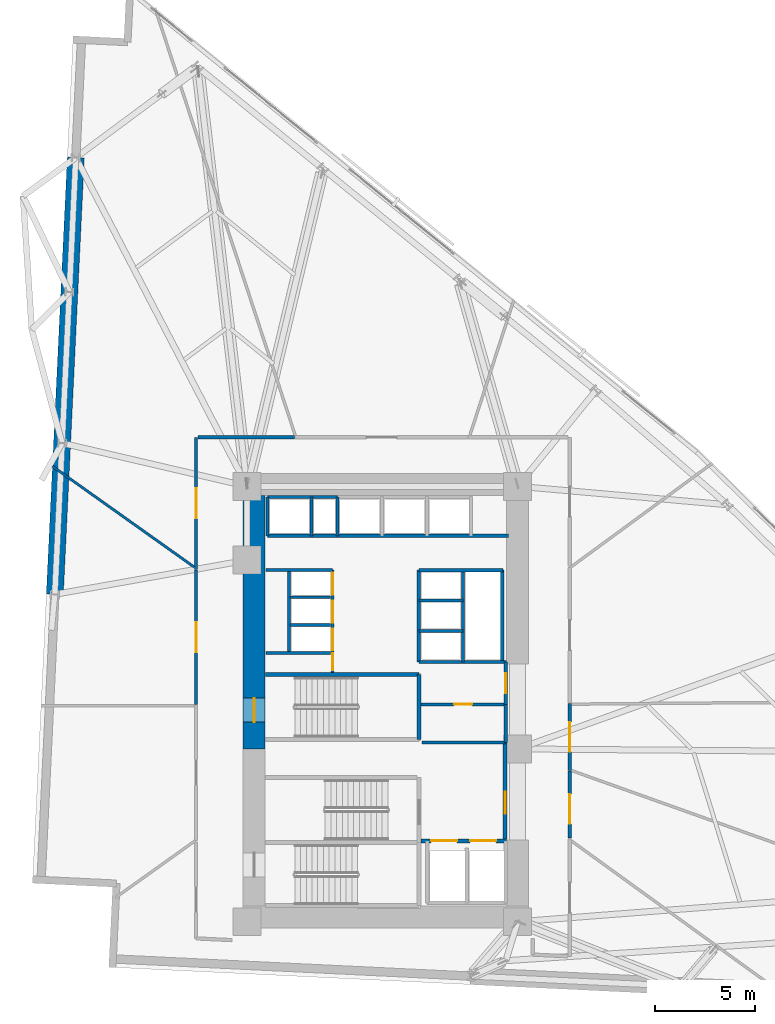
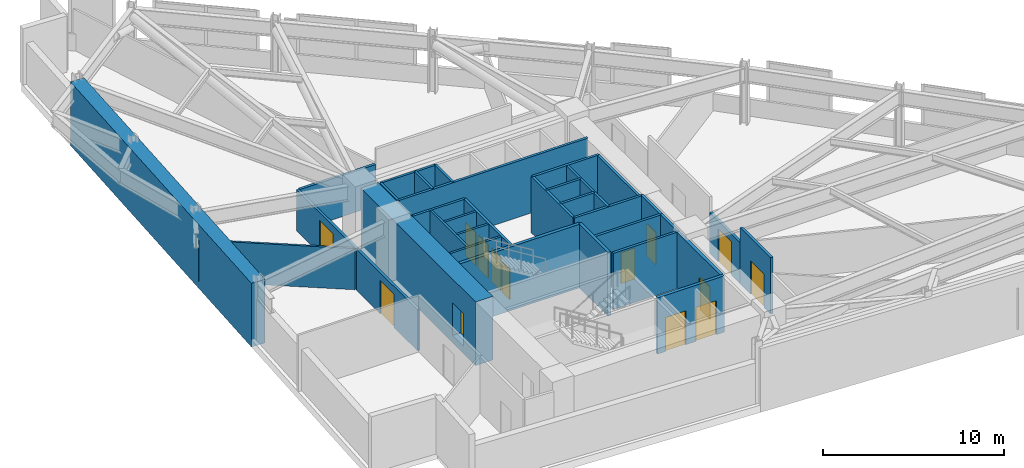
# One storey, part 13 of 18: 34 walls, 14 doors, 14 openings.
"""IFC4 building model written with IfcOpenShell, lengths in metres."""

from ifc_helpers import new_model, si_unit, direction, frame, frame_2d, origin, place, context, subcontext, project, spatial, rectangle, extrude, material, layer, layer_set, type_object, element, fill, save


model = new_model("IFC4")

# Units and contexts
model_context = context("Model", 3, precision=1e-05, world=origin(), true_north=direction((0.0, 1.0)))
body_context = subcontext(model_context, "Body", "Model", "MODEL_VIEW")
ifc_project = project(units=[si_unit("LENGTHUNIT", "METRE"), si_unit("AREAUNIT", "SQUARE_METRE"), si_unit("VOLUMEUNIT", "CUBIC_METRE"), si_unit("PLANEANGLEUNIT", "RADIAN"), si_unit("MASSUNIT", "GRAM", prefix="KILO")], contexts=[model_context])

# Site, building, storey
site_placement = place(None, origin())
site = spatial("IfcSite", under=ifc_project, at=site_placement, CompositionType="ELEMENT")
building_placement = place(site_placement, origin())
building = spatial("IfcBuilding", under=site, at=building_placement, Name="Narakoshi Arena Tower", CompositionType="ELEMENT")
storey_placement = place(building_placement, frame((0.0, 0.0, 59.10009765625)))
storey = spatial("IfcBuildingStorey", under=building, at=storey_placement, Name="L15", CompositionType="ELEMENT", Elevation=59.10009765625)

# Wall, opening, door
ifc_material_1 = material(Name="Concrete C60/75", Category="concrete")
ifc_layer_1 = layer(ifc_material_1, 1.10009765625)
ifc_layer_set_1 = layer_set([ifc_layer_1], Name="Concrete C60/75")
wall_type_1 = type_object("IfcWallType", Name="WL-CORE-1100", PredefinedType="SHEAR", material=ifc_layer_set_1)
wall_1_placement = place(storey_placement, frame((72.35009765625, 43.35009765625, -0.5), z_axis=(0.0, 0.0, 1.0), x_axis=(0.0, 1.0, 0.0)))
wall_1 = element("IfcWall", 1, at=wall_1_placement, inside=storey, type_object=wall_type_1, Name="L15 Main Core Shear Wall CW-MN-W", PredefinedType="SHEAR", context=body_context, shape_type="SweptSolid", body=[
    extrude(rectangle(XDim=12.699951171875, YDim=1.10009765625, at=frame_2d((6.35009765625, 0.0))), origin(), (0.0, 0.0, 1.0), 4.2998046875),
])
opening_1_placement = place(wall_1_placement, frame((1.35009765625, 0.0, 0.5)))
opening_1 = element("IfcOpeningElement", 2, at=opening_1_placement, cuts=wall_1, Name="Opening D-03", PredefinedType="OPENING", context=body_context, shape_type="SweptSolid", body=[
    extrude(rectangle(XDim=1.199951171875, YDim=2.199951171875, at=frame_2d((0.60009765625, 1.10009765625))), frame((0.0, 0.56005859375, 0.0), z_axis=(0.0, -1.0, 0.0), x_axis=(1.0, 0.0, 0.0)), (0.0, 0.0, 1.0), 1.1201171875),
])
ifc_material_2 = material(Name="Painted galvanized steel", Category="steel")
door_type_1 = type_object("IfcDoorType", Name="DR-STR-1200", OperationType="NOTDEFINED", PredefinedType="USERDEFINED", material=ifc_material_2)
door_1_placement = place(opening_1_placement, frame((1.199951171875, 0.0, 0.0), z_axis=(0.0, 0.0, 1.0), x_axis=(-1.0, 0.0, 0.0)))
door_1 = element("IfcDoor", 3, at=door_1_placement, inside=storey, type_object=door_type_1, Name="DR-L15-006", ObjectType="EXITDOOR", OperationType="SINGLE_SWING_LEFT", OverallHeight=2.199951171875, OverallWidth=1.199951171875, PredefinedType="USERDEFINED", context=body_context, shape_type="SweptSolid", body=[
    extrude(rectangle(XDim=1.199951171875, YDim=2.199951171875, at=frame_2d((0.60009765625, 1.10009765625))), frame((0.0, 0.02490234375, 0.0), z_axis=(0.0, -1.0, 0.0), x_axis=(1.0, 0.0, 0.0)), (0.0, 0.0, 1.0), 0.050048828125),
])
fill(opening_1, door_1)

ifc_material_3 = material(Name="Gypsum plasterboard fire-rated partition")
ifc_layer_2 = layer(ifc_material_3, 0.1650390625)
ifc_layer_set_2 = layer_set([ifc_layer_2], Name="Gypsum plasterboard fire-rated partition")
wall_type_2 = type_object("IfcWallType", Name="WL-CORR-165", PredefinedType="PARTITIONING", material=ifc_layer_set_2)
wall_2_placement = place(storey_placement, frame((84.949951171875, 45.580078125, 0.0), z_axis=(0.0, 0.0, 1.0), x_axis=(0.0, 1.0, 0.0)))
wall_2 = element("IfcWall", 4, at=wall_2_placement, inside=storey, type_object=wall_type_2, Name="L15 Core Wall CPAS-E", PredefinedType="PARTITIONING", context=body_context, shape_type="SweptSolid", body=[
    extrude(rectangle(XDim=2.119873046875, YDim=0.1650390625, at=frame_2d((1.06005859375, 0.0))), origin(), (0.0, 0.0, 1.0), 3.7998046875),
])
opening_2_placement = place(wall_2_placement, frame((0.56005859375, 0.0, 0.0)))
opening_2 = element("IfcOpeningElement", 5, at=opening_2_placement, cuts=wall_2, Name="Opening D-06", PredefinedType="OPENING", context=body_context, shape_type="SweptSolid", body=[
    extrude(rectangle(XDim=1.0, YDim=2.199951171875, at=frame_2d((0.5, 1.10009765625))), frame((0.0, 0.092529296875, 0.0), z_axis=(0.0, -1.0, 0.0), x_axis=(1.0, 0.0, 0.0)), (0.0, 0.0, 1.0), 0.18505859375),
])
ifc_material_4 = material(Name="Stained oak solid-core timber", Category="wood")
door_type_2 = type_object("IfcDoorType", Name="DR-OFF-1000", OperationType="NOTDEFINED", PredefinedType="DOOR", material=ifc_material_4)
door_2_placement = place(opening_2_placement, frame((1.0, 0.0, 0.0), z_axis=(0.0, 0.0, 1.0), x_axis=(-1.0, 0.0, 0.0)))
door_2 = element("IfcDoor", 6, at=door_2_placement, inside=storey, type_object=door_type_2, Name="DR-L15-007", OperationType="SINGLE_SWING_LEFT", OverallHeight=2.199951171875, OverallWidth=1.0, PredefinedType="DOOR", context=body_context, shape_type="SweptSolid", body=[
    extrude(rectangle(XDim=1.0, YDim=2.199951171875, at=frame_2d((0.5, 1.10009765625))), frame((0.0, 0.02490234375, 0.0), z_axis=(0.0, -1.0, 0.0), x_axis=(1.0, 0.0, 0.0)), (0.0, 0.0, 1.0), 0.050048828125),
])
fill(opening_2, door_2)

wall_3_placement = place(storey_placement, frame((88.14990234375, 42.26904296875, 0.0), z_axis=(0.0, 0.0, 1.0), x_axis=(0.0, 1.0, 0.0)))
wall_3 = element("IfcWall", 7, at=wall_3_placement, inside=storey, type_object=wall_type_2, Name="L15 Corridor Partition 04-1", PredefinedType="PARTITIONING", context=body_context, shape_type="SweptSolid", body=[
    extrude(rectangle(XDim=3.35986328125, YDim=0.1650390625, at=frame_2d((1.679931640625, 0.0))), origin(), (0.0, 0.0, 1.0), 2.77685546875),
])
opening_3_placement = place(wall_3_placement, frame((0.929931640625, 0.0, 0.0)))
opening_3 = element("IfcOpeningElement", 8, at=opening_3_placement, cuts=wall_3, Name="Opening D-09", PredefinedType="OPENING", context=body_context, shape_type="SweptSolid", body=[
    extrude(rectangle(XDim=1.5, YDim=2.25, at=frame_2d((0.75, 1.125))), frame((0.0, 0.092529296875, 0.0), z_axis=(0.0, -1.0, 0.0), x_axis=(1.0, 0.0, 0.0)), (0.0, 0.0, 1.0), 0.18505859375),
])
door_type_3 = type_object("IfcDoorType", Name="DR-PLT-1500", OperationType="DOUBLE_DOOR_SINGLE_SWING", PredefinedType="DOOR", material=ifc_material_2)
door_3_placement = place(opening_3_placement, frame((1.5, 0.0, 0.0), z_axis=(0.0, 0.0, 1.0), x_axis=(-1.0, 0.0, 0.0)))
door_3 = element("IfcDoor", 9, at=door_3_placement, inside=storey, type_object=door_type_3, Name="DR-L15-016", OperationType="DOUBLE_DOOR_SINGLE_SWING", OverallHeight=2.25, OverallWidth=1.5, PredefinedType="DOOR", context=body_context, shape_type="SweptSolid", body=[
    extrude(rectangle(XDim=1.5, YDim=2.25, at=frame_2d((0.75, 1.125))), frame((0.0, 0.02490234375, 0.0), z_axis=(0.0, -1.0, 0.0), x_axis=(1.0, 0.0, 0.0)), (0.0, 0.0, 1.0), 0.050048828125),
])
fill(opening_3, door_3)

wall_4_placement = place(storey_placement, frame((88.14990234375, 38.8837890625, 0.0), z_axis=(0.0, 0.0, 1.0), x_axis=(0.0, 1.0, 0.0)))
wall_4 = element("IfcWall", 10, at=wall_4_placement, inside=storey, type_object=wall_type_2, Name="L15 Corridor Partition 05-1", PredefinedType="PARTITIONING", context=body_context, shape_type="SweptSolid", body=[
    extrude(rectangle(XDim=3.359619140625, YDim=0.1650390625, at=frame_2d((1.6796875, 0.0))), origin(), (0.0, 0.0, 1.0), 3.7998046875),
])
opening_4_placement = place(wall_4_placement, frame((0.7109375, 0.0, 0.0)))
opening_4 = element("IfcOpeningElement", 11, at=opening_4_placement, cuts=wall_4, Name="Opening D-09", PredefinedType="OPENING", context=body_context, shape_type="SweptSolid", body=[
    extrude(rectangle(XDim=1.5, YDim=2.25, at=frame_2d((0.75, 1.125))), frame((0.0, 0.092529296875, 0.0), z_axis=(0.0, -1.0, 0.0), x_axis=(1.0, 0.0, 0.0)), (0.0, 0.0, 1.0), 0.18505859375),
])
door_4_placement = place(opening_4_placement, frame((1.5, 0.0, 0.0), z_axis=(0.0, 0.0, 1.0), x_axis=(-1.0, 0.0, 0.0)))
door_4 = element("IfcDoor", 12, at=door_4_placement, inside=storey, type_object=door_type_3, Name="DR-L15-017", OperationType="DOUBLE_DOOR_SINGLE_SWING", OverallHeight=2.25, OverallWidth=1.5, PredefinedType="DOOR", context=body_context, shape_type="SweptSolid", body=[
    extrude(rectangle(XDim=1.5, YDim=2.25, at=frame_2d((0.75, 1.125))), frame((0.0, 0.02490234375, 0.0), z_axis=(0.0, -1.0, 0.0), x_axis=(1.0, 0.0, 0.0)), (0.0, 0.0, 1.0), 0.050048828125),
])
fill(opening_4, door_4)

wall_5_placement = place(storey_placement, frame((69.449951171875, 58.949951171875, 0.0), z_axis=(0.0, 0.0, 1.0), x_axis=(0.0, -1.0, 0.0)))
wall_5 = element("IfcWall", 13, at=wall_5_placement, inside=storey, type_object=wall_type_2, Name="L15 Corridor Partition 09-1", PredefinedType="PARTITIONING", context=body_context, shape_type="SweptSolid", body=[
    extrude(rectangle(XDim=6.604248046875, YDim=0.1650390625, at=frame_2d((3.30224609375, 0.0))), origin(), (0.0, 0.0, 1.0), 2.77685546875),
])
opening_5_placement = place(wall_5_placement, frame((2.552001953125, 0.0, 0.0)))
opening_5 = element("IfcOpeningElement", 14, at=opening_5_placement, cuts=wall_5, Name="Opening D-09", PredefinedType="OPENING", context=body_context, shape_type="SweptSolid", body=[
    extrude(rectangle(XDim=1.5, YDim=2.25, at=frame_2d((0.75, 1.125))), frame((0.0, 0.092529296875, 0.0), z_axis=(0.0, -1.0, 0.0), x_axis=(1.0, 0.0, 0.0)), (0.0, 0.0, 1.0), 0.18505859375),
])
door_5_placement = place(opening_5_placement, frame((1.5, 0.0, 0.0), z_axis=(0.0, 0.0, 1.0), x_axis=(-1.0, 0.0, 0.0)))
door_5 = element("IfcDoor", 15, at=door_5_placement, inside=storey, type_object=door_type_3, Name="DR-L15-021", OperationType="DOUBLE_DOOR_SINGLE_SWING", OverallHeight=2.25, OverallWidth=1.5, PredefinedType="DOOR", context=body_context, shape_type="SweptSolid", body=[
    extrude(rectangle(XDim=1.5, YDim=2.25, at=frame_2d((0.75, 1.125))), frame((0.0, 0.02490234375, 0.0), z_axis=(0.0, -1.0, 0.0), x_axis=(1.0, 0.0, 0.0)), (0.0, 0.0, 1.0), 0.050048828125),
])
fill(opening_5, door_5)

# Wall
wall_6_placement = place(storey_placement, frame((74.38525390625, 58.949951171875, 0.0), z_axis=(0.0, 0.0, 1.0), x_axis=(-1.0, 0.0, 0.0)))
element("IfcWall", 16, at=wall_6_placement, inside=storey, type_object=wall_type_2, Name="L15 Corridor Partition 09-2", PredefinedType="PARTITIONING", context=body_context, shape_type="SweptSolid", body=[
    extrude(rectangle(XDim=4.8408203125, YDim=0.1650390625, at=frame_2d((2.42041015625, 0.0))), origin(), (0.0, 0.0, 1.0), 2.77685546875),
])

# Wall, opening, door
wall_7_placement = place(storey_placement, frame((69.449951171875, 52.31640625, 0.0), z_axis=(0.0, 0.0, 1.0), x_axis=(0.0, -1.0, 0.0)))
wall_7 = element("IfcWall", 17, at=wall_7_placement, inside=storey, type_object=wall_type_2, Name="L15 Corridor Partition 10-1", PredefinedType="PARTITIONING", context=body_context, shape_type="SweptSolid", body=[
    extrude(rectangle(XDim=6.7451171875, YDim=0.1650390625, at=frame_2d((3.37255859375, 0.0))), origin(), (0.0, 0.0, 1.0), 2.77685546875),
])
opening_6_placement = place(wall_7_placement, frame((2.62255859375, 0.0, 0.0)))
opening_6 = element("IfcOpeningElement", 18, at=opening_6_placement, cuts=wall_7, Name="Opening D-09", PredefinedType="OPENING", context=body_context, shape_type="SweptSolid", body=[
    extrude(rectangle(XDim=1.5, YDim=2.25, at=frame_2d((0.75, 1.125))), frame((0.0, 0.092529296875, 0.0), z_axis=(0.0, -1.0, 0.0), x_axis=(1.0, 0.0, 0.0)), (0.0, 0.0, 1.0), 0.18505859375),
])
door_6_placement = place(opening_6_placement, frame((1.5, 0.0, 0.0), z_axis=(0.0, 0.0, 1.0), x_axis=(-1.0, 0.0, 0.0)))
door_6 = element("IfcDoor", 19, at=door_6_placement, inside=storey, type_object=door_type_3, Name="DR-L15-022", OperationType="DOUBLE_DOOR_SINGLE_SWING", OverallHeight=2.25, OverallWidth=1.5, PredefinedType="DOOR", context=body_context, shape_type="SweptSolid", body=[
    extrude(rectangle(XDim=1.5, YDim=2.25, at=frame_2d((0.75, 1.125))), frame((0.0, 0.02490234375, 0.0), z_axis=(0.0, -1.0, 0.0), x_axis=(1.0, 0.0, 0.0)), (0.0, 0.0, 1.0), 0.050048828125),
])
fill(opening_6, door_6)

# Walls
ifc_layer_3 = layer(ifc_material_1, 0.85009765625)
ifc_layer_set_3 = layer_set([ifc_layer_3], Name="Concrete C60/75")
wall_type_3 = type_object("IfcWallType", Name="WL-LEG-850", PredefinedType="SHEAR", material=ifc_layer_set_3)
wall_8_placement = place(storey_placement, frame((63.42822265625, 72.95654296875, -0.5), z_axis=(0.0, 0.0, 1.0), x_axis=(-0.047976309476, -0.998848473858, 0.0)))
element("IfcWall", 20, at=wall_8_placement, inside=storey, type_object=wall_type_3, Name="L15 Architectural Concrete Structural Wall LEGB-2", PredefinedType="SHEAR", context=body_context, shape_type="SweptSolid", body=[
    extrude(rectangle(XDim=21.891845703125, YDim=0.85009765625, at=frame_2d((10.94580078125, 0.0))), origin(), (0.0, 0.0, 1.0), 4.2998046875),
])
ifc_layer_4 = layer(ifc_material_3, 0.125)
ifc_layer_set_4 = layer_set([ifc_layer_4], Name="Gypsum plasterboard fire-rated partition")
wall_type_4 = type_object("IfcWallType", Name="WL-PART-125", PredefinedType="PARTITIONING", material=ifc_layer_set_4)
wall_9_placement = place(storey_placement, frame((69.35546875, 52.45751953125, 0.0), z_axis=(0.0, 0.0, 1.0), x_axis=(-0.815095714188, 0.579326312809, 0.0)))
element("IfcWall", 21, at=wall_9_placement, inside=storey, type_object=wall_type_4, Name="L15 Inter-Room Partition 09-10", PredefinedType="PARTITIONING", context=body_context, shape_type="SweptSolid", body=[
    extrude(rectangle(XDim=8.704345703125, YDim=0.125, at=frame_2d((4.35205078125, 0.0))), origin(), (0.0, 0.0, 1.0), 2.77685546875),
])
ifc_material_5 = material(Name="Concrete C40/50", Category="concrete")
ifc_layer_5 = layer(ifc_material_5, 0.280029296875)
ifc_layer_set_5 = layer_set([ifc_layer_5], Name="Concrete C40/50")
wall_type_5 = type_object("IfcWallType", Name="WL-RISER-280", PredefinedType="PLUMBINGWALL", material=ifc_layer_set_5)
wall_10_placement = place(storey_placement, frame((84.949951171875, 43.679931640625, 0.0), z_axis=(0.0, 0.0, 1.0), x_axis=(0.0, 1.0, 0.0)))
element("IfcWall", 22, at=wall_10_placement, inside=storey, type_object=wall_type_5, Name="L15 Core Wall RSR-E", PredefinedType="PLUMBINGWALL", context=body_context, shape_type="SweptSolid", body=[
    extrude(rectangle(XDim=1.900146484375, YDim=0.1650390625, at=frame_2d((0.9501953125, 0.0))), origin(), (0.0, 0.0, 1.0), 3.7998046875),
])

# Wall, opening, door
wall_11_placement = place(storey_placement, frame((80.719970703125, 45.580078125, 0.0), z_axis=(0.0, 0.0, 1.0), x_axis=(1.0, 0.0, 0.0)))
wall_11 = element("IfcWall", 23, at=wall_11_placement, inside=storey, type_object=wall_type_5, Name="L15 Core Wall RSR-N", PredefinedType="PLUMBINGWALL", context=body_context, shape_type="SweptSolid", body=[
    extrude(rectangle(XDim=4.22998046875, YDim=0.159912109375, at=frame_2d((2.114990234375, 0.0))), origin(), (0.0, 0.0, 1.0), 3.7998046875),
])
opening_7_placement = place(wall_11_placement, frame((1.64990234375, 0.0, 0.0)))
opening_7 = element("IfcOpeningElement", 24, at=opening_7_placement, cuts=wall_11, Name="Opening D-08", PredefinedType="OPENING", context=body_context, shape_type="SweptSolid", body=[
    extrude(rectangle(XDim=0.89990234375, YDim=2.10009765625, at=frame_2d((0.449951171875, 1.050048828125))), frame((0.0, 0.08984375, 0.0), z_axis=(0.0, -1.0, 0.0), x_axis=(1.0, 0.0, 0.0)), (0.0, 0.0, 1.0), 0.179931640625),
])
ifc_material_6 = material(Name="Moisture-resistant laminate timber", Category="wood")
door_type_4 = type_object("IfcDoorType", Name="DR-WC-900", OperationType="NOTDEFINED", PredefinedType="DOOR", material=ifc_material_6)
door_7_placement = place(opening_7_placement, frame((0.89990234375, 0.0, 0.0), z_axis=(0.0, 0.0, 1.0), x_axis=(-1.0, 0.0, 0.0)))
door_7 = element("IfcDoor", 25, at=door_7_placement, inside=storey, type_object=door_type_4, Name="DR-L15-008", OperationType="SINGLE_SWING_LEFT", OverallHeight=2.10009765625, OverallWidth=0.89990234375, PredefinedType="DOOR", context=body_context, shape_type="SweptSolid", body=[
    extrude(rectangle(XDim=0.89990234375, YDim=2.10009765625, at=frame_2d((0.449951171875, 1.050048828125))), frame((0.0, 0.02490234375, 0.0), z_axis=(0.0, -1.0, 0.0), x_axis=(1.0, 0.0, 0.0)), (0.0, 0.0, 1.0), 0.050048828125),
])
fill(opening_7, door_7)

# Walls
wall_12_placement = place(storey_placement, frame((80.760009765625, 43.679931640625, 0.0), z_axis=(0.0, 0.0, 1.0), x_axis=(1.0, 0.0, 0.0)))
element("IfcWall", 26, at=wall_12_placement, inside=storey, type_object=wall_type_5, Name="L15 Core Wall RSR-S", PredefinedType="PLUMBINGWALL", context=body_context, shape_type="SweptSolid", body=[
    extrude(rectangle(XDim=4.18994140625, YDim=0.159912109375, at=frame_2d((2.094970703125, 0.0))), origin(), (0.0, 0.0, 1.0), 3.7998046875),
])
wall_13_placement = place(storey_placement, frame((72.949951171875, 48.159912109375, 0.0), z_axis=(0.0, 0.0, 1.0), x_axis=(1.0, 0.0, 0.0)))
element("IfcWall", 27, at=wall_13_placement, inside=storey, type_object=wall_type_5, Name="L15 Core Wall LR-S0", PredefinedType="PLUMBINGWALL", context=body_context, shape_type="SweptSolid", body=[
    extrude(rectangle(XDim=3.239990234375, YDim=0.139892578125, at=frame_2d((1.6201171875, 0.0))), origin(), (0.0, 0.0, 1.0), 3.7998046875),
])
for number, where, z_axis, x_axis, name in (
    (28, (74.14990234375, 49.550048828125, 0.0), (0.0, 0.0, 1.0), (1.0, 0.0, 0.0), "L15 Core Wall LR-D1"),
    (29, (74.14990234375, 50.949951171875, 0.0), (0.0, 0.0, 1.0), (1.0, 0.0, 0.0), "L15 Core Wall LR-D2"),
):
    element("IfcWall", number, at=place(storey_placement, frame(where, z_axis=z_axis, x_axis=x_axis)), inside=storey, type_object=wall_type_5, Name=name, PredefinedType="PLUMBINGWALL", context=body_context, shape_type="SweptSolid", body=[
        extrude(rectangle(XDim=2.0400390625, YDim=0.139892578125, at=frame_2d((1.02001953125, 0.0))), origin(), (0.0, 0.0, 1.0), 3.7998046875),
    ])
wall_14_placement = place(storey_placement, frame((74.10009765625, 48.159912109375, 0.0), z_axis=(0.0, 0.0, 1.0), x_axis=(0.0, 1.0, 0.0)))
element("IfcWall", 30, at=wall_14_placement, inside=storey, type_object=wall_type_5, Name="L15 Core Wall LR-W", PredefinedType="PLUMBINGWALL", context=body_context, shape_type="SweptSolid", body=[
    extrude(rectangle(XDim=4.16015625, YDim=0.139892578125, at=frame_2d((2.080078125, 0.0))), origin(), (0.0, 0.0, 1.0), 3.7998046875),
])
for number, where, z_axis, x_axis, name in (
    (31, (80.60009765625, 49.260009765625, 0.0), (0.0, 0.0, 1.0), (1.0, 0.0, 0.0), "L15 Core Wall MR-D1"),
    (32, (80.60009765625, 50.780029296875, 0.0), (0.0, 0.0, 1.0), (1.0, 0.0, 0.0), "L15 Core Wall MR-D2"),
):
    element("IfcWall", number, at=place(storey_placement, frame(where, z_axis=z_axis, x_axis=x_axis)), inside=storey, type_object=wall_type_5, Name=name, PredefinedType="PLUMBINGWALL", context=body_context, shape_type="SweptSolid", body=[
        extrude(rectangle(XDim=2.199951171875, YDim=0.14990234375, at=frame_2d((1.10009765625, 0.0))), origin(), (0.0, 0.0, 1.0), 3.7998046875),
    ])
wall_15_placement = place(storey_placement, frame((82.800048828125, 47.699951171875, 0.0), z_axis=(0.0, 0.0, 1.0), x_axis=(0.0, 1.0, 0.0)))
element("IfcWall", 33, at=wall_15_placement, inside=storey, type_object=wall_type_5, Name="L15 Core Wall MR-E", PredefinedType="PLUMBINGWALL", context=body_context, shape_type="SweptSolid", body=[
    extrude(rectangle(XDim=4.60009765625, YDim=0.14990234375, at=frame_2d((2.300048828125, 0.0))), origin(), (0.0, 0.0, 1.0), 3.7998046875),
])
for number, where, z_axis, x_axis, name in (
    (34, (73.02001953125, 54.02001953125, 0.0), (0.0, 0.0, 1.0), (0.0, 1.0, 0.0), "L15 Core Wall OBS-W"),
    (35, (75.219970703125, 54.02001953125, 0.0), (0.0, 0.0, 1.0), (0.0, 1.0, 0.0), "L15 Core Wall OBS-M"),
):
    element("IfcWall", number, at=place(storey_placement, frame(where, z_axis=z_axis, x_axis=x_axis)), inside=storey, type_object=wall_type_5, Name=name, PredefinedType="PLUMBINGWALL", context=body_context, shape_type="SweptSolid", body=[
        extrude(rectangle(XDim=1.93994140625, YDim=0.14990234375, at=frame_2d((0.969970703125, 0.0))), origin(), (0.0, 0.0, 1.0), 3.7998046875),
    ])

# Wall, openings, doors
ifc_material_7 = material(Name="Concrete C50/60", Category="concrete")
ifc_layer_6 = layer(ifc_material_7, 0.35009765625)
ifc_layer_set_6 = layer_set([ifc_layer_6], Name="Concrete C50/60")
wall_type_6 = type_object("IfcWallType", Name="WL-SHAFT-350", PredefinedType="SOLIDWALL", material=ifc_layer_set_6)
wall_16_placement = place(storey_placement, frame((80.719970703125, 38.75, 0.0), z_axis=(0.0, 0.0, 1.0), x_axis=(1.0, 0.0, 0.0)))
wall_16 = element("IfcWall", 36, at=wall_16_placement, inside=storey, type_object=wall_type_6, Name="L15 Core Wall FF-N", PredefinedType="SOLIDWALL", context=body_context, shape_type="SweptSolid", body=[
    extrude(rectangle(XDim=4.260009765625, YDim=0.199951171875, at=frame_2d((2.1298828125, 0.0))), origin(), (0.0, 0.0, 1.0), 3.7998046875),
])
opening_8_placement = place(wall_16_placement, frame((0.5, 0.0, 0.0)))
opening_8 = element("IfcOpeningElement", 37, at=opening_8_placement, cuts=wall_16, Name="Opening LD-02", PredefinedType="OPENING", context=body_context, shape_type="SweptSolid", body=[
    extrude(rectangle(XDim=1.300048828125, YDim=2.300048828125, at=frame_2d((0.64990234375, 1.14990234375))), frame((0.0, 0.10986328125, 0.0), z_axis=(0.0, -1.0, 0.0), x_axis=(1.0, 0.0, 0.0)), (0.0, 0.0, 1.0), 0.219970703125),
])
opening_9_placement = place(wall_16_placement, frame((2.449951171875, 0.0, 0.0)))
opening_9 = element("IfcOpeningElement", 38, at=opening_9_placement, cuts=wall_16, Name="Opening LD-02", PredefinedType="OPENING", context=body_context, shape_type="SweptSolid", body=[
    extrude(rectangle(XDim=1.300048828125, YDim=2.300048828125, at=frame_2d((0.64990234375, 1.14990234375))), frame((0.0, 0.10986328125, 0.0), z_axis=(0.0, -1.0, 0.0), x_axis=(1.0, 0.0, 0.0)), (0.0, 0.0, 1.0), 0.219970703125),
])
ifc_material_8 = material(Name="Brushed bronze stainless steel", Category="steel")
door_type_5 = type_object("IfcDoorType", Name="DR-LFT-1300", OperationType="DOUBLE_DOOR_SLIDING", PredefinedType="DOOR", material=ifc_material_8)
door_8_placement = place(opening_8_placement, origin())
door_8 = element("IfcDoor", 39, at=door_8_placement, inside=storey, type_object=door_type_5, Name="DR-L15-003", OperationType="DOUBLE_DOOR_SLIDING", OverallHeight=2.300048828125, OverallWidth=1.300048828125, PredefinedType="DOOR", context=body_context, shape_type="SweptSolid", body=[
    extrude(rectangle(XDim=1.300048828125, YDim=2.300048828125, at=frame_2d((0.64990234375, 1.14990234375))), frame((0.0, 0.02490234375, 0.0), z_axis=(0.0, -1.0, 0.0), x_axis=(1.0, 0.0, 0.0)), (0.0, 0.0, 1.0), 0.050048828125),
])
fill(opening_8, door_8)
door_9_placement = place(opening_9_placement, origin())
door_9 = element("IfcDoor", 40, at=door_9_placement, inside=storey, type_object=door_type_5, Name="DR-L15-004", OperationType="DOUBLE_DOOR_SLIDING", OverallHeight=2.300048828125, OverallWidth=1.300048828125, PredefinedType="DOOR", context=body_context, shape_type="SweptSolid", body=[
    extrude(rectangle(XDim=1.300048828125, YDim=2.300048828125, at=frame_2d((0.64990234375, 1.14990234375))), frame((0.0, 0.02490234375, 0.0), z_axis=(0.0, -1.0, 0.0), x_axis=(1.0, 0.0, 0.0)), (0.0, 0.0, 1.0), 0.050048828125),
])
fill(opening_9, door_9)

# Wall, opening, door
wall_17_placement = place(storey_placement, frame((84.919921875, 38.85009765625, 0.0), z_axis=(0.0, 0.0, 1.0), x_axis=(0.0, 1.0, 0.0)))
wall_17 = element("IfcWall", 41, at=wall_17_placement, inside=storey, type_object=wall_type_6, Name="L15 Core Wall FFLOB-E", PredefinedType="SOLIDWALL", context=body_context, shape_type="SweptSolid", body=[
    extrude(rectangle(XDim=4.829833984375, YDim=0.199951171875, at=frame_2d((2.4150390625, 0.0))), origin(), (0.0, 0.0, 1.0), 3.7998046875),
])
opening_10_placement = place(wall_17_placement, frame((1.25, 0.0, 0.0)))
opening_10 = element("IfcOpeningElement", 42, at=opening_10_placement, cuts=wall_17, Name="Opening D-04", PredefinedType="OPENING", context=body_context, shape_type="SweptSolid", body=[
    extrude(rectangle(XDim=1.10009765625, YDim=2.199951171875, at=frame_2d((0.550048828125, 1.10009765625))), frame((0.0, 0.10986328125, 0.0), z_axis=(0.0, -1.0, 0.0), x_axis=(1.0, 0.0, 0.0)), (0.0, 0.0, 1.0), 0.219970703125),
])
door_type_6 = type_object("IfcDoorType", Name="DR-FFL-1100", OperationType="NOTDEFINED", PredefinedType="DOOR", material=ifc_material_2)
door_10_placement = place(opening_10_placement, frame((1.10009765625, 0.0, 0.0), z_axis=(0.0, 0.0, 1.0), x_axis=(-1.0, 0.0, 0.0)))
door_10 = element("IfcDoor", 43, at=door_10_placement, inside=storey, type_object=door_type_6, Name="DR-L15-005", OperationType="SINGLE_SWING_RIGHT", OverallHeight=2.199951171875, OverallWidth=1.10009765625, PredefinedType="DOOR", context=body_context, shape_type="SweptSolid", body=[
    extrude(rectangle(XDim=1.10009765625, YDim=2.199951171875, at=frame_2d((0.550048828125, 1.10009765625))), frame((0.0, 0.02490234375, 0.0), z_axis=(0.0, -1.0, 0.0), x_axis=(1.0, 0.0, 0.0)), (0.0, 0.0, 1.0), 0.050048828125),
])
fill(opening_10, door_10)

# Walls
wall_18_placement = place(storey_placement, frame((72.919921875, 47.070068359375, -0.5), z_axis=(0.0, 0.0, 1.0), x_axis=(1.0, 0.0, 0.0)))
element("IfcWall", 44, at=wall_18_placement, inside=storey, type_object=wall_type_6, Name="L15 Core Wall ST3-N", PredefinedType="SOLIDWALL", context=body_context, shape_type="SweptSolid", body=[
    extrude(rectangle(XDim=7.7001953125, YDim=0.199951171875, at=frame_2d((3.85009765625, 0.0))), origin(), (0.0, 0.0, 1.0), 4.2998046875),
])
wall_19_placement = place(storey_placement, frame((80.6201171875, 43.830078125, -0.5), z_axis=(0.0, 0.0, 1.0), x_axis=(0.0, 1.0, 0.0)))
element("IfcWall", 45, at=wall_19_placement, inside=storey, type_object=wall_type_6, Name="L15 Core Wall ST3-E", PredefinedType="SOLIDWALL", context=body_context, shape_type="SweptSolid", body=[
    extrude(rectangle(XDim=3.239990234375, YDim=0.199951171875, at=frame_2d((1.6201171875, 0.0))), origin(), (0.0, 0.0, 1.0), 4.2998046875),
])

# Wall, openings, doors
wall_20_placement = place(storey_placement, frame((76.280029296875, 47.179931640625, 0.0), z_axis=(0.0, 0.0, 1.0), x_axis=(0.0, 1.0, 0.0)))
wall_20 = element("IfcWall", 46, at=wall_20_placement, inside=storey, type_object=wall_type_6, Name="L15 Core Wall LR-E", PredefinedType="SOLIDWALL", context=body_context, shape_type="SweptSolid", body=[
    extrude(rectangle(XDim=5.14013671875, YDim=0.159912109375, at=frame_2d((2.570068359375, 0.0))), origin(), (0.0, 0.0, 1.0), 3.7998046875),
])
opening_11_placement = place(wall_20_placement, frame((1.10009765625, 0.0, 0.0)))
opening_11 = element("IfcOpeningElement", 47, at=opening_11_placement, cuts=wall_20, Name="Opening LD-01", PredefinedType="OPENING", context=body_context, shape_type="SweptSolid", body=[
    extrude(rectangle(XDim=1.10009765625, YDim=2.25, at=frame_2d((0.550048828125, 1.125))), frame((0.0, 0.08984375, 0.0), z_axis=(0.0, -1.0, 0.0), x_axis=(1.0, 0.0, 0.0)), (0.0, 0.0, 1.0), 0.179931640625),
])
opening_12_placement = place(wall_20_placement, frame((2.5, 0.0, 0.0)))
opening_12 = element("IfcOpeningElement", 48, at=opening_12_placement, cuts=wall_20, Name="Opening LD-01", PredefinedType="OPENING", context=body_context, shape_type="SweptSolid", body=[
    extrude(rectangle(XDim=1.10009765625, YDim=2.25, at=frame_2d((0.550048828125, 1.125))), frame((0.0, 0.08984375, 0.0), z_axis=(0.0, -1.0, 0.0), x_axis=(1.0, 0.0, 0.0)), (0.0, 0.0, 1.0), 0.179931640625),
])
opening_13_placement = place(wall_20_placement, frame((3.89990234375, 0.0, 0.0)))
opening_13 = element("IfcOpeningElement", 49, at=opening_13_placement, cuts=wall_20, Name="Opening LD-01", PredefinedType="OPENING", context=body_context, shape_type="SweptSolid", body=[
    extrude(rectangle(XDim=1.10009765625, YDim=2.25, at=frame_2d((0.550048828125, 1.125))), frame((0.0, 0.08984375, 0.0), z_axis=(0.0, -1.0, 0.0), x_axis=(1.0, 0.0, 0.0)), (0.0, 0.0, 1.0), 0.179931640625),
])
opening_14_placement = place(wall_20_placement, frame((0.1201171875, 0.0, 0.0)))
opening_14 = element("IfcOpeningElement", 50, at=opening_14_placement, cuts=wall_20, Name="Opening D-10", PredefinedType="OPENING", context=body_context, shape_type="SweptSolid", body=[
    extrude(rectangle(XDim=0.85009765625, YDim=2.050048828125, at=frame_2d((0.425048828125, 1.02490234375))), frame((0.0, 0.08984375, 0.0), z_axis=(0.0, -1.0, 0.0), x_axis=(1.0, 0.0, 0.0)), (0.0, 0.0, 1.0), 0.179931640625),
])
door_type_7 = type_object("IfcDoorType", Name="DR-LFT-1100", OperationType="DOUBLE_DOOR_SLIDING", PredefinedType="DOOR", material=ifc_material_8)
door_11_placement = place(opening_11_placement, origin())
door_11 = element("IfcDoor", 51, at=door_11_placement, inside=storey, type_object=door_type_7, Name="DR-L15-009", OperationType="DOUBLE_DOOR_SLIDING", OverallHeight=2.25, OverallWidth=1.10009765625, PredefinedType="DOOR", context=body_context, shape_type="SweptSolid", body=[
    extrude(rectangle(XDim=1.10009765625, YDim=2.25, at=frame_2d((0.550048828125, 1.125))), frame((0.0, 0.02490234375, 0.0), z_axis=(0.0, -1.0, 0.0), x_axis=(1.0, 0.0, 0.0)), (0.0, 0.0, 1.0), 0.050048828125),
])
fill(opening_11, door_11)
door_12_placement = place(opening_12_placement, origin())
door_12 = element("IfcDoor", 52, at=door_12_placement, inside=storey, type_object=door_type_7, Name="DR-L15-010", OperationType="DOUBLE_DOOR_SLIDING", OverallHeight=2.25, OverallWidth=1.10009765625, PredefinedType="DOOR", context=body_context, shape_type="SweptSolid", body=[
    extrude(rectangle(XDim=1.10009765625, YDim=2.25, at=frame_2d((0.550048828125, 1.125))), frame((0.0, 0.02490234375, 0.0), z_axis=(0.0, -1.0, 0.0), x_axis=(1.0, 0.0, 0.0)), (0.0, 0.0, 1.0), 0.050048828125),
])
fill(opening_12, door_12)
door_13_placement = place(opening_13_placement, origin())
door_13 = element("IfcDoor", 53, at=door_13_placement, inside=storey, type_object=door_type_7, Name="DR-L15-011", OperationType="DOUBLE_DOOR_SLIDING", OverallHeight=2.25, OverallWidth=1.10009765625, PredefinedType="DOOR", context=body_context, shape_type="SweptSolid", body=[
    extrude(rectangle(XDim=1.10009765625, YDim=2.25, at=frame_2d((0.550048828125, 1.125))), frame((0.0, 0.02490234375, 0.0), z_axis=(0.0, -1.0, 0.0), x_axis=(1.0, 0.0, 0.0)), (0.0, 0.0, 1.0), 0.050048828125),
])
fill(opening_13, door_13)
door_type_8 = type_object("IfcDoorType", Name="DR-RSR-850", OperationType="NOTDEFINED", PredefinedType="DOOR", material=ifc_material_2)
door_14_placement = place(opening_14_placement, frame((0.85009765625, 0.0, 0.0), z_axis=(0.0, 0.0, 1.0), x_axis=(-1.0, 0.0, 0.0)))
door_14 = element("IfcDoor", 54, at=door_14_placement, inside=storey, type_object=door_type_8, Name="DR-L15-012", OperationType="SINGLE_SWING_LEFT", OverallHeight=2.050048828125, OverallWidth=0.85009765625, PredefinedType="DOOR", context=body_context, shape_type="SweptSolid", body=[
    extrude(rectangle(XDim=0.85009765625, YDim=2.050048828125, at=frame_2d((0.425048828125, 1.02490234375))), frame((0.0, 0.02490234375, 0.0), z_axis=(0.0, -1.0, 0.0), x_axis=(1.0, 0.0, 0.0)), (0.0, 0.0, 1.0), 0.050048828125),
])
fill(opening_14, door_14)

# Walls
wall_21_placement = place(storey_placement, frame((72.949951171875, 52.320068359375, 0.0), z_axis=(0.0, 0.0, 1.0), x_axis=(1.0, 0.0, 0.0)))
element("IfcWall", 55, at=wall_21_placement, inside=storey, type_object=wall_type_6, Name="L15 Core Wall LR-N", PredefinedType="SOLIDWALL", context=body_context, shape_type="SweptSolid", body=[
    extrude(rectangle(XDim=3.330078125, YDim=0.14990234375, at=frame_2d((1.6650390625, 0.0))), origin(), (0.0, 0.0, 1.0), 3.7998046875),
])
wall_22_placement = place(storey_placement, frame((80.60009765625, 47.699951171875, 0.0), z_axis=(0.0, 0.0, 1.0), x_axis=(0.0, 1.0, 0.0)))
element("IfcWall", 56, at=wall_22_placement, inside=storey, type_object=wall_type_6, Name="L15 Core Wall MR-W", PredefinedType="SOLIDWALL", context=body_context, shape_type="SweptSolid", body=[
    extrude(rectangle(XDim=4.60009765625, YDim=0.159912109375, at=frame_2d((2.300048828125, 0.0))), origin(), (0.0, 0.0, 1.0), 3.7998046875),
])
wall_23_placement = place(storey_placement, frame((80.60009765625, 47.699951171875, 0.0), z_axis=(0.0, 0.0, 1.0), x_axis=(1.0, 0.0, 0.0)))
element("IfcWall", 57, at=wall_23_placement, inside=storey, type_object=wall_type_6, Name="L15 Core Wall MR-S", PredefinedType="SOLIDWALL", context=body_context, shape_type="SweptSolid", body=[
    extrude(rectangle(XDim=4.39990234375, YDim=0.159912109375, at=frame_2d((2.199951171875, 0.0))), origin(), (0.0, 0.0, 1.0), 3.7998046875),
])
wall_24_placement = place(storey_placement, frame((80.60009765625, 52.300048828125, 0.0), z_axis=(0.0, 0.0, 1.0), x_axis=(1.0, 0.0, 0.0)))
element("IfcWall", 58, at=wall_24_placement, inside=storey, type_object=wall_type_6, Name="L15 Core Wall MR-N", PredefinedType="SOLIDWALL", context=body_context, shape_type="SweptSolid", body=[
    extrude(rectangle(XDim=4.219970703125, YDim=0.159912109375, at=frame_2d((2.10986328125, 0.0))), origin(), (0.0, 0.0, 1.0), 3.7998046875),
])
wall_25_placement = place(storey_placement, frame((84.780029296875, 47.699951171875, 0.0), z_axis=(0.0, 0.0, 1.0), x_axis=(0.0, 1.0, 0.0)))
element("IfcWall", 59, at=wall_25_placement, inside=storey, type_object=wall_type_6, Name="L15 Core Wall MR-E2", PredefinedType="SOLIDWALL", context=body_context, shape_type="SweptSolid", body=[
    extrude(rectangle(XDim=4.60009765625, YDim=0.159912109375, at=frame_2d((2.300048828125, 0.0))), origin(), (0.0, 0.0, 1.0), 3.7998046875),
])
wall_26_placement = place(storey_placement, frame((73.02001953125, 54.02001953125, 0.0), z_axis=(0.0, 0.0, 1.0), x_axis=(1.0, 0.0, 0.0)))
element("IfcWall", 60, at=wall_26_placement, inside=storey, type_object=wall_type_6, Name="L15 Core Wall NSHF-S", PredefinedType="SOLIDWALL", context=body_context, shape_type="SweptSolid", body=[
    extrude(rectangle(XDim=12.080078125, YDim=0.159912109375, at=frame_2d((6.0400390625, 0.0))), origin(), (0.0, 0.0, 1.0), 3.7998046875),
])
wall_27_placement = place(storey_placement, frame((73.02001953125, 55.9599609375, 0.0), z_axis=(0.0, 0.0, 1.0), x_axis=(1.0, 0.0, 0.0)))
element("IfcWall", 61, at=wall_27_placement, inside=storey, type_object=wall_type_6, Name="L15 Core Wall OBS-N", PredefinedType="SOLIDWALL", context=body_context, shape_type="SweptSolid", body=[
    extrude(rectangle(XDim=3.5, YDim=0.14990234375, at=frame_2d((1.75, 0.0))), origin(), (0.0, 0.0, 1.0), 3.7998046875),
])
wall_28_placement = place(storey_placement, frame((76.52001953125, 54.02001953125, 0.0), z_axis=(0.0, 0.0, 1.0), x_axis=(0.0, 1.0, 0.0)))
element("IfcWall", 62, at=wall_28_placement, inside=storey, type_object=wall_type_6, Name="L15 Core Wall OBS-E", PredefinedType="SOLIDWALL", context=body_context, shape_type="SweptSolid", body=[
    extrude(rectangle(XDim=1.93994140625, YDim=0.14990234375, at=frame_2d((0.969970703125, 0.0))), origin(), (0.0, 0.0, 1.0), 3.7998046875),
])

save(model, "model.ifc")
